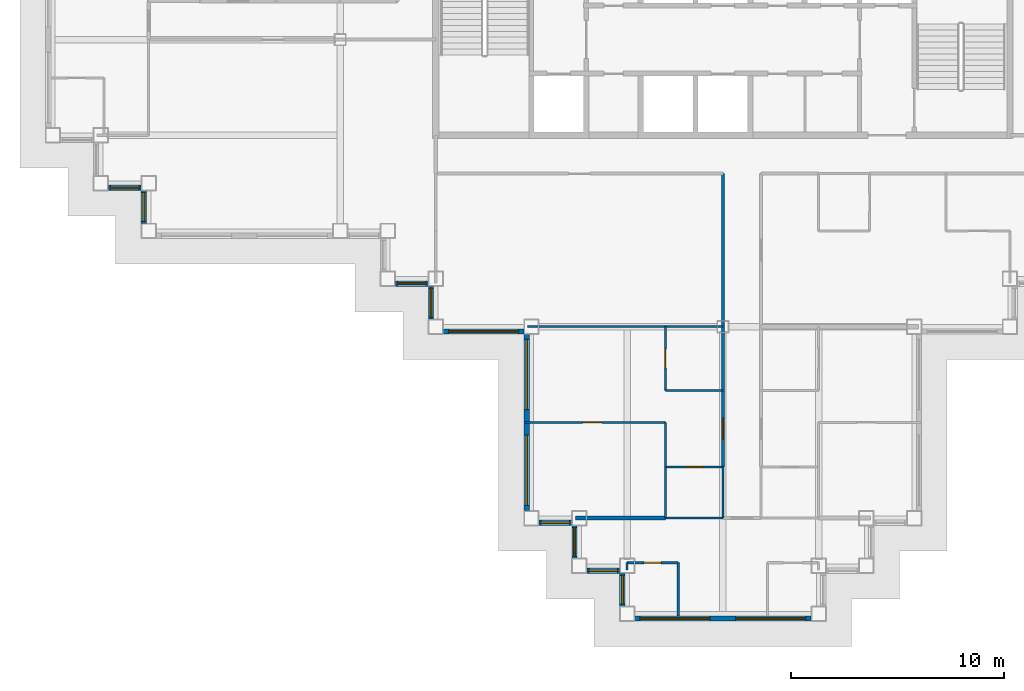
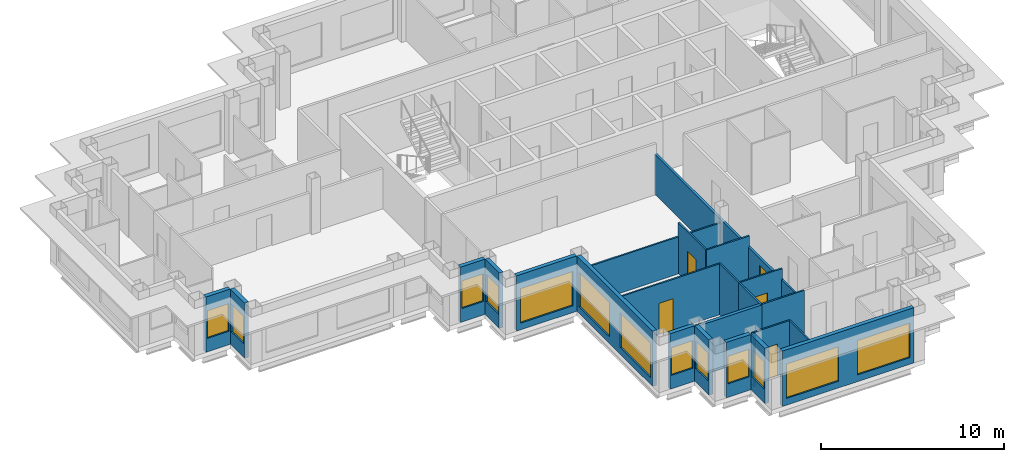
# One storey, part 2 of 12: 25 walls, 13 windows, 5 doors, 18 openings.
"""IFC4 building model written with IfcOpenShell, lengths in metres."""

import ifcopenshell
import ifcopenshell.guid

model = None  # the IFC model being written
_history = None  # IfcOwnerHistory: only IFC2X3 demands one
_inside = {}  # id of a spatial element -> (the spatial element, [elements in it])
_under = {}  # id of a project, library or spatial element -> (it, [spatial elements below it])
_declared = {}  # id of a project -> (the project, [libraries it declares])
_typed = {}  # id of a type object -> (the type object, [elements of that type])
_made_of = {}  # id of a material, layer set ... -> (it, [elements and type objects made of it])


def new_model(schema):
    """Start an empty IFC model of exactly this schema.

    Asked for "IFC4X3", IfcOpenShell would pick the latest addendum, in which some entities
    have other attributes; the version numbers below select the first issue.
    IFC2X3 requires an IfcOwnerHistory on every rooted entity: one is made here for all.
    """
    global model, _history
    if schema == "IFC4X3":
        model = ifcopenshell.file(schema_version=(4, 3, 0, 0))
    else:
        model = ifcopenshell.file(schema=schema)
    _inside.clear()
    _under.clear()
    _declared.clear()
    _typed.clear()
    _made_of.clear()
    _history = None
    if model.schema == "IFC2X3":
        org = make("IfcOrganization", Name="unknown")
        user = make(
            "IfcPersonAndOrganization",
            ThePerson=make("IfcPerson", FamilyName="unknown"),
            TheOrganization=org,
        )
        app = make(
            "IfcApplication",
            ApplicationDeveloper=org,
            Version="unknown",
            ApplicationFullName="unknown",
            ApplicationIdentifier="unknown",
        )
        _history = make(
            "IfcOwnerHistory",
            OwningUser=user,
            OwningApplication=app,
            ChangeAction="ADDED",
            CreationDate=0,
        )
    return model


def make(cls, **values):
    """One entity of the class cls with the attributes given. An attribute that is None is left unset."""
    return model.create_entity(
        cls, **{name: value for name, value in values.items() if value is not None}
    )


def rooted(cls, **values):
    """An entity with a GlobalId (a new one), such as an element, a storey or a relation."""
    return make(cls, GlobalId=ifcopenshell.guid.new(), OwnerHistory=_history, **values)


def si_unit(unit_type, name, prefix=None):
    """IfcSIUnit, for example si_unit("LENGTHUNIT", "METRE", prefix="MILLI")."""
    return make("IfcSIUnit", UnitType=unit_type, Prefix=prefix, Name=name)


def assignment(units):
    """IfcUnitAssignment: the units of a project."""
    return None if units is None else make("IfcUnitAssignment", Units=units)


def point(xyz):
    """IfcCartesianPoint."""
    return None if xyz is None else make("IfcCartesianPoint", Coordinates=xyz)


def direction(xyz):
    """IfcDirection."""
    return None if xyz is None else make("IfcDirection", DirectionRatios=xyz)


def frame(location, z_axis=None, x_axis=None):
    """IfcAxis2Placement3D, a coordinate frame: its origin and axes. An axis left out is left unset."""
    return make(
        "IfcAxis2Placement3D",
        Location=point(location),
        Axis=direction(z_axis),
        RefDirection=direction(x_axis),
    )


def frame_2d(location, x_axis=None):
    """IfcAxis2Placement2D, a coordinate frame in the plane: its origin and x axis."""
    return make(
        "IfcAxis2Placement2D", Location=point(location), RefDirection=direction(x_axis)
    )


def origin():
    """The frame at (0, 0, 0) with its axes left unset."""
    return frame((0.0, 0.0, 0.0))


def place(relative_to, where):
    """IfcLocalPlacement: puts the frame where relative to a parent placement (None: the world)."""
    return make(
        "IfcLocalPlacement", PlacementRelTo=relative_to, RelativePlacement=where
    )


def context(
    kind, dimensions, precision=None, world=None, true_north=None, identifier=None
):
    """IfcGeometricRepresentationContext, for example the 3D "Model" context."""
    return make(
        "IfcGeometricRepresentationContext",
        ContextIdentifier=identifier,
        ContextType=kind,
        CoordinateSpaceDimension=dimensions,
        Precision=precision,
        WorldCoordinateSystem=world,
        TrueNorth=true_north,
    )


def subcontext(parent, identifier, kind, view, scale=None):
    """IfcGeometricRepresentationSubContext, for example "Body" below "Model"."""
    return make(
        "IfcGeometricRepresentationSubContext",
        ContextIdentifier=identifier,
        ContextType=kind,
        ParentContext=parent,
        TargetScale=scale,
        TargetView=view,
    )


def project(units=None, contexts=None):
    """IfcProject with its units and contexts."""
    return rooted(
        "IfcProject",
        Name="project",
        RepresentationContexts=contexts,
        UnitsInContext=assignment(units),
    )


def spatial(cls, under=None, at=None, **own):
    """A site, building, storey or space (cls), placed at a placement, below another one or the project."""
    s = rooted(cls, ObjectPlacement=at, **own)
    if under is not None:
        _under.setdefault(under.id(), (under, []))[1].append(s)
    return s


def profile(cls, at=None, kind="AREA", **sizes):
    """A parametric profile (cls). Its sizes go by their IFC names, for example OverallWidth=200.0."""
    return make(cls, ProfileType=kind, Position=at, **sizes)


def rectangle(**sizes):
    """IfcRectangleProfileDef."""
    return profile("IfcRectangleProfileDef", **sizes)


def extrude(swept, where, along, depth):
    """IfcExtrudedAreaSolid: the profile swept, set in the frame where, extruded along a direction by depth."""
    return make(
        "IfcExtrudedAreaSolid",
        SweptArea=swept,
        Position=where,
        ExtrudedDirection=direction(along),
        Depth=depth,
    )


def shape(context_of_items, identifier, shape_type, items):
    """IfcShapeRepresentation: the items that make up one representation, for example the "Body"."""
    return make(
        "IfcShapeRepresentation",
        ContextOfItems=context_of_items,
        RepresentationIdentifier=identifier,
        RepresentationType=shape_type,
        Items=items,
    )


def material(Name=None, Category=None):
    """IfcMaterial."""
    return make("IfcMaterial", Name=Name, Category=Category)


def layer(
    of_material, thickness, ventilated=None, Name=None, Category=None, Priority=None
):
    """IfcMaterialLayer: one layer of a wall or slab, of a material (None: an air gap)."""
    return make(
        "IfcMaterialLayer",
        Material=of_material,
        LayerThickness=thickness,
        IsVentilated=ventilated,
        Name=Name,
        Category=Category,
        Priority=Priority,
    )


def layer_set(layers, Name=None):
    """IfcMaterialLayerSet."""
    return make("IfcMaterialLayerSet", MaterialLayers=layers, LayerSetName=Name)


def made_of(thing, what):
    """Note that an element or type object is made of a material, layer set ...; save() writes the relation."""
    if what is not None:
        _made_of.setdefault(what.id(), (what, []))[1].append(thing)
    return thing


def type_object(cls, material=None, **own):
    """A type object (cls), such as IfcWallType, which elements share."""
    return made_of(rooted(cls, **own), material)


def element(
    cls,
    number,
    at=None,
    inside=None,
    cuts=None,
    type_object=None,
    material=None,
    context=None,
    identifier="Body",
    shape_type=None,
    held_by="IfcProductDefinitionShape",
    body=None,
    shapes=None,
    **own,
):
    """One element of the class cls, such as IfcWall. Its Tag is "e" and its number.

    at: its placement. inside: the storey or other place that contains it. cuts: it is an
    opening in that element (IfcRelVoidsElement). A single representation is given by context,
    identifier, shape_type and body (its items); several are given by shapes. held_by: the class
    of the entity that holds the representations. save() writes the other relations.
    """
    e = rooted(cls, Tag="e%d" % number, ObjectPlacement=at, **own)
    if body is not None:
        shapes = [shape(context, identifier, shape_type, body)]
    if shapes is not None:
        e.Representation = make(held_by, Representations=shapes)
    if inside is not None:
        _inside.setdefault(inside.id(), (inside, []))[1].append(e)
    if cuts is not None:
        rooted(
            "IfcRelVoidsElement", RelatingBuildingElement=cuts, RelatedOpeningElement=e
        )
    if type_object is not None:
        _typed.setdefault(type_object.id(), (type_object, []))[1].append(e)
    return made_of(e, material)


def fill(opening, filler):
    """IfcRelFillsElement: the door or window that sits in an opening."""
    return rooted(
        "IfcRelFillsElement",
        RelatingOpeningElement=opening,
        RelatedBuildingElement=filler,
    )


def aggregate(whole, parts):
    """IfcRelAggregates: a whole, such as a stair, and the parts it consists of."""
    return rooted("IfcRelAggregates", RelatingObject=whole, RelatedObjects=parts)


def save(model, path):
    """Write the relations noted so far, then the file.

    IfcRelAggregates (storeys below a building ...), IfcRelContainedInSpatialStructure (elements
    in a storey), IfcRelDefinesByType, IfcRelAssociatesMaterial and IfcRelDeclares: one each for
    every whole, place, type object, material and project.
    """
    for whole, parts in _under.values():
        aggregate(whole, parts)
    for where, things in _inside.values():
        rooted(
            "IfcRelContainedInSpatialStructure",
            RelatedElements=things,
            RelatingStructure=where,
        )
    for kind, things in _typed.values():
        rooted("IfcRelDefinesByType", RelatedObjects=things, RelatingType=kind)
    for what, things in _made_of.values():
        rooted("IfcRelAssociatesMaterial", RelatedObjects=things, RelatingMaterial=what)
    for by, libraries in _declared.values():
        rooted("IfcRelDeclares", RelatingContext=by, RelatedDefinitions=libraries)
    model.write(path)


model = new_model("IFC4")

# Units and contexts
model_context = context("Model", 3, precision=1e-05, world=origin(), true_north=direction((0.0, 1.0)))
body_context = subcontext(model_context, "Body", "Model", "MODEL_VIEW")
ifc_project = project(units=[si_unit("LENGTHUNIT", "METRE"), si_unit("AREAUNIT", "SQUARE_METRE"), si_unit("VOLUMEUNIT", "CUBIC_METRE"), si_unit("PLANEANGLEUNIT", "RADIAN"), si_unit("MASSUNIT", "GRAM", prefix="KILO")], contexts=[model_context])

# Site, building, storey
site_placement = place(None, origin())
site = spatial("IfcSite", under=ifc_project, at=site_placement, CompositionType="ELEMENT")
building_placement = place(site_placement, origin())
building = spatial("IfcBuilding", under=site, at=building_placement, Name="Caravel Reach Hotel and Residences", CompositionType="ELEMENT")
storey_placement = place(building_placement, frame((0.0, 0.0, 199.800048828125)))
storey = spatial("IfcBuildingStorey", under=building, at=storey_placement, Name="L50", CompositionType="ELEMENT", Elevation=199.800048828125)

# Wall, opening, door
ifc_material_1 = material(Name="Gypsum board on steel stud", Category="steel")
ifc_layer_1 = layer(ifc_material_1, 0.10009765625)
ifc_layer_set_1 = layer_set([ifc_layer_1], Name="Bathroom pod wall 100 mm")
wall_type_1 = type_object("IfcWallType", Name="Bathroom pod wall 100 mm", PredefinedType="PARTITIONING", material=ifc_layer_set_1)
wall_1_placement = place(storey_placement, frame((27.0, 2.39990234375, 0.0), z_axis=(0.0, 0.0, 1.0), x_axis=(1.0, 0.0, 0.0)))
wall_1 = element("IfcWall", 1, at=wall_1_placement, inside=storey, type_object=wall_type_1, Name="L50 wall w078", PredefinedType="PARTITIONING", context=body_context, shape_type="SweptSolid", body=[
    extrude(rectangle(XDim=2.39990234375, YDim=0.10009765625, at=frame_2d((1.199951171875, 0.0))), origin(), (0.0, 0.0, 1.0), 3.39990234375),
])
opening_1_placement = place(wall_1_placement, frame((0.800048828125, 0.0, 0.0)))
opening_1 = element("IfcOpeningElement", 2, at=opening_1_placement, cuts=wall_1, Name="Opening D50-050", PredefinedType="OPENING", context=body_context, shape_type="SweptSolid", body=[
    extrude(rectangle(XDim=0.800048828125, YDim=2.10009765625, at=frame_2d((0.39990234375, 1.050048828125))), frame((0.0, 0.06005859375, 0.0), z_axis=(0.0, -1.0, 0.0), x_axis=(1.0, 0.0, 0.0)), (0.0, 0.0, 1.0), 0.1201171875),
])
ifc_material_2 = material(Name="Timber and steel door leaf", Category="steel")
door_type_1 = type_object("IfcDoorType", Name="Bathroom door 800 x 2100", OperationType="SINGLE_SWING_LEFT", PredefinedType="DOOR", material=ifc_material_2)
door_1_placement = place(opening_1_placement, origin())
door_1 = element("IfcDoor", 3, at=door_1_placement, inside=storey, type_object=door_type_1, Name="door D50-050", OperationType="SINGLE_SWING_RIGHT", OverallHeight=2.10009765625, OverallWidth=0.800048828125, PredefinedType="DOOR", context=body_context, shape_type="SweptSolid", body=[
    extrude(rectangle(XDim=0.800048828125, YDim=2.10009765625, at=frame_2d((0.39990234375, 1.050048828125))), frame((0.0, 0.02490234375, 0.0), z_axis=(0.0, -1.0, 0.0), x_axis=(1.0, 0.0, 0.0)), (0.0, 0.0, 1.0), 0.050048828125),
])
fill(opening_1, door_1)

# Wall
wall_2_placement = place(storey_placement, frame((28.800048828125, 4.5, 0.0), z_axis=(0.0, 0.0, 1.0), x_axis=(1.0, 0.0, 0.0)))
element("IfcWall", 4, at=wall_2_placement, inside=storey, type_object=wall_type_1, Name="L50 wall w089", PredefinedType="PARTITIONING", context=body_context, shape_type="SweptSolid", body=[
    extrude(rectangle(XDim=2.699951171875, YDim=0.10009765625, at=frame_2d((1.35009765625, 0.0))), origin(), (0.0, 0.0, 1.0), 3.39990234375),
])

# Wall, opening, door
wall_3_placement = place(storey_placement, frame((28.800048828125, 6.89990234375, 0.0), z_axis=(0.0, 0.0, 1.0), x_axis=(1.0, 0.0, 0.0)))
wall_3 = element("IfcWall", 5, at=wall_3_placement, inside=storey, type_object=wall_type_1, Name="L50 wall w091", PredefinedType="PARTITIONING", context=body_context, shape_type="SweptSolid", body=[
    extrude(rectangle(XDim=2.699951171875, YDim=0.10009765625, at=frame_2d((1.35009765625, 0.0))), origin(), (0.0, 0.0, 1.0), 3.39990234375),
])
opening_2_placement = place(wall_3_placement, frame((0.949951171875, 0.0, 0.0)))
opening_2 = element("IfcOpeningElement", 6, at=opening_2_placement, cuts=wall_3, Name="Opening D50-036", PredefinedType="OPENING", context=body_context, shape_type="SweptSolid", body=[
    extrude(rectangle(XDim=0.800048828125, YDim=2.10009765625, at=frame_2d((0.39990234375, 1.050048828125))), frame((0.0, 0.06005859375, 0.0), z_axis=(0.0, -1.0, 0.0), x_axis=(1.0, 0.0, 0.0)), (0.0, 0.0, 1.0), 0.1201171875),
])
door_2_placement = place(opening_2_placement, origin())
door_2 = element("IfcDoor", 7, at=door_2_placement, inside=storey, type_object=door_type_1, Name="door D50-036", OperationType="SINGLE_SWING_LEFT", OverallHeight=2.10009765625, OverallWidth=0.800048828125, PredefinedType="DOOR", context=body_context, shape_type="SweptSolid", body=[
    extrude(rectangle(XDim=0.800048828125, YDim=2.10009765625, at=frame_2d((0.39990234375, 1.050048828125))), frame((0.0, 0.02490234375, 0.0), z_axis=(0.0, -1.0, 0.0), x_axis=(1.0, 0.0, 0.0)), (0.0, 0.0, 1.0), 0.050048828125),
])
fill(opening_2, door_2)

# Walls
wall_4_placement = place(storey_placement, frame((27.0, 2.06005859375, 0.0), z_axis=(0.0, 0.0, 1.0), x_axis=(0.0, 1.0, 0.0)))
element("IfcWall", 8, at=wall_4_placement, inside=storey, type_object=wall_type_1, Name="L50 wall w093", PredefinedType="PARTITIONING", context=body_context, shape_type="SweptSolid", body=[
    extrude(rectangle(XDim=0.33984375, YDim=0.10009765625, at=frame_2d((0.169921875, 0.0))), origin(), (0.0, 0.0, 1.0), 3.39990234375),
])
wall_5_placement = place(storey_placement, frame((28.800048828125, 4.5, 0.0), z_axis=(0.0, 0.0, 1.0), x_axis=(0.0, 1.0, 0.0)))
element("IfcWall", 9, at=wall_5_placement, inside=storey, type_object=wall_type_1, Name="L50 wall w094", PredefinedType="PARTITIONING", context=body_context, shape_type="SweptSolid", body=[
    extrude(rectangle(XDim=2.39990234375, YDim=0.10009765625, at=frame_2d((1.199951171875, 0.0))), origin(), (0.0, 0.0, 1.0), 3.39990234375),
])
wall_6_placement = place(storey_placement, frame((29.39990234375, -0.10009765625, 0.0), z_axis=(0.0, 0.0, 1.0), x_axis=(0.0, 1.0, 0.0)))
element("IfcWall", 10, at=wall_6_placement, inside=storey, type_object=wall_type_1, Name="L50 wall w095", PredefinedType="PARTITIONING", context=body_context, shape_type="SweptSolid", body=[
    extrude(rectangle(XDim=2.5, YDim=0.10009765625, at=frame_2d((1.25, 0.0))), origin(), (0.0, 0.0, 1.0), 3.39990234375),
])
wall_7_placement = place(storey_placement, frame((31.5, 4.5, 0.0), z_axis=(0.0, 0.0, 1.0), x_axis=(0.0, 1.0, 0.0)))
element("IfcWall", 11, at=wall_7_placement, inside=storey, type_object=wall_type_1, Name="L50 wall w096", PredefinedType="PARTITIONING", context=body_context, shape_type="SweptSolid", body=[
    extrude(rectangle(XDim=2.39990234375, YDim=0.10009765625, at=frame_2d((1.199951171875, 0.0))), origin(), (0.0, 0.0, 1.0), 2.679931640625),
])

# Wall, opening, door
ifc_material_3 = material(Name="Gypsum board on steel stud, fire-rated", Category="steel")
ifc_layer_2 = layer(ifc_material_3, 0.14990234375)
ifc_layer_set_2 = layer_set([ifc_layer_2], Name="Corridor wall 150 mm EI 60")
wall_type_2 = type_object("IfcWallType", Name="Corridor wall 150 mm EI 60", PredefinedType="PARTITIONING", material=ifc_layer_set_2)
wall_8_placement = place(storey_placement, frame((31.5, 6.89990234375, 0.0), z_axis=(0.0, 0.0, 1.0), x_axis=(0.0, 1.0, 0.0)))
wall_8 = element("IfcWall", 12, at=wall_8_placement, inside=storey, type_object=wall_type_2, Name="L50 wall w020", PredefinedType="PARTITIONING", context=body_context, shape_type="SweptSolid", body=[
    extrude(rectangle(XDim=13.800048828125, YDim=0.14990234375, at=frame_2d((6.89990234375, 0.0))), origin(), (0.0, 0.0, 1.0), 2.679931640625),
])
opening_3_placement = place(wall_8_placement, frame((1.300048828125, 0.0, 0.0)))
opening_3 = element("IfcOpeningElement", 13, at=opening_3_placement, cuts=wall_8, Name="Opening D50-035", PredefinedType="OPENING", context=body_context, shape_type="SweptSolid", body=[
    extrude(rectangle(XDim=1.0, YDim=2.199951171875, at=frame_2d((0.5, 1.10009765625))), frame((0.0, 0.0849609375, 0.0), z_axis=(0.0, -1.0, 0.0), x_axis=(1.0, 0.0, 0.0)), (0.0, 0.0, 1.0), 0.169921875),
])
ifc_material_4 = material(Name="Steel fire door leaf", Category="steel")
door_type_2 = type_object("IfcDoorType", Name="Flat entrance door 1000 x 2200 EI 60", OperationType="SINGLE_SWING_LEFT", PredefinedType="DOOR", material=ifc_material_4)
door_3_placement = place(opening_3_placement, origin())
door_3 = element("IfcDoor", 14, at=door_3_placement, inside=storey, type_object=door_type_2, Name="door D50-035", OperationType="SINGLE_SWING_LEFT", OverallHeight=2.199951171875, OverallWidth=1.0, PredefinedType="DOOR", context=body_context, shape_type="SweptSolid", body=[
    extrude(rectangle(XDim=1.0, YDim=2.199951171875, at=frame_2d((0.5, 1.10009765625))), frame((0.0, 0.02490234375, 0.0), z_axis=(0.0, -1.0, 0.0), x_axis=(1.0, 0.0, 0.0)), (0.0, 0.0, 1.0), 0.050048828125),
])
fill(opening_3, door_3)

# Wall, opening, window
ifc_material_5 = material(Name="Insulated rainscreen wall, aluminium cladding", Category="aluminium")
ifc_layer_3 = layer(ifc_material_5, 0.25)
ifc_layer_set_3 = layer_set([ifc_layer_3], Name="EW1 Tower rainscreen wall")
wall_type_3 = type_object("IfcWallType", Name="EW1 Tower rainscreen wall", PredefinedType="SOLIDWALL", material=ifc_layer_set_3)
wall_9_placement = place(storey_placement, frame((2.60009765625, 20.02490234375, 0.0), z_axis=(0.0, 0.0, 1.0), x_axis=(1.0, 0.0, 0.0)))
wall_9 = element("IfcWall", 15, at=wall_9_placement, inside=storey, type_object=wall_type_3, Name="External wall L50 S23.1", PredefinedType="SOLIDWALL", context=body_context, shape_type="SweptSolid", body=[
    extrude(rectangle(XDim=1.5498046875, YDim=0.25, at=frame_2d((0.77490234375, 0.0))), origin(), (0.0, 0.0, 1.0), 3.699951171875),
])
opening_4_placement = place(wall_9_placement, frame((0.10009765625, 0.0, 0.89990234375)))
opening_4 = element("IfcOpeningElement", 16, at=opening_4_placement, cuts=wall_9, Name="Opening WN21", PredefinedType="OPENING", context=body_context, shape_type="SweptSolid", body=[
    extrude(rectangle(XDim=1.35009765625, YDim=1.85009765625, at=frame_2d((0.675048828125, 0.925048828125))), frame((0.0, 0.135009765625, 0.0), z_axis=(0.0, -1.0, 0.0), x_axis=(1.0, 0.0, 0.0)), (0.0, 0.0, 1.0), 0.27001953125),
])
ifc_material_6 = material(Name="Dark low-e glazing in black aluminium frame", Category="aluminium")
window_type_1 = type_object("IfcWindowType", Name="Residence bedroom window 1350 x 1850", PartitioningType="SINGLE_PANEL", PredefinedType="WINDOW", material=ifc_material_6)
window_1_placement = place(opening_4_placement, origin())
window_1 = element("IfcWindow", 17, at=window_1_placement, inside=storey, type_object=window_type_1, Name="Window L50 S23.1.1", OverallHeight=1.85009765625, OverallWidth=1.35009765625, PartitioningType="SINGLE_PANEL", PredefinedType="WINDOW", context=body_context, shape_type="SweptSolid", body=[
    extrude(rectangle(XDim=1.35009765625, YDim=1.85009765625, at=frame_2d((0.675048828125, 0.925048828125))), frame((0.0, 0.030029296875, 0.0), z_axis=(0.0, -1.0, 0.0), x_axis=(1.0, 0.0, 0.0)), (0.0, 0.0, 1.0), 0.06005859375),
])
fill(opening_4, window_1)

wall_10_placement = place(storey_placement, frame((4.27490234375, 19.89990234375, 0.0), z_axis=(0.0, 0.0, 1.0), x_axis=(0.0, -1.0, 0.0)))
wall_10 = element("IfcWall", 18, at=wall_10_placement, inside=storey, type_object=wall_type_3, Name="External wall L50 W24.1", PredefinedType="SOLIDWALL", context=body_context, shape_type="SweptSolid", body=[
    extrude(rectangle(XDim=1.5498046875, YDim=0.25, at=frame_2d((0.77490234375, 0.0))), origin(), (0.0, 0.0, 1.0), 3.699951171875),
])
opening_5_placement = place(wall_10_placement, frame((0.10009765625, 0.0, 0.89990234375)))
opening_5 = element("IfcOpeningElement", 19, at=opening_5_placement, cuts=wall_10, Name="Opening WN21", PredefinedType="OPENING", context=body_context, shape_type="SweptSolid", body=[
    extrude(rectangle(XDim=1.35009765625, YDim=1.85009765625, at=frame_2d((0.675048828125, 0.925048828125))), frame((0.0, 0.135009765625, 0.0), z_axis=(0.0, -1.0, 0.0), x_axis=(1.0, 0.0, 0.0)), (0.0, 0.0, 1.0), 0.27001953125),
])
window_2_placement = place(opening_5_placement, origin())
window_2 = element("IfcWindow", 20, at=window_2_placement, inside=storey, type_object=window_type_1, Name="Window L50 W24.1.1", OverallHeight=1.85009765625, OverallWidth=1.35009765625, PartitioningType="SINGLE_PANEL", PredefinedType="WINDOW", context=body_context, shape_type="SweptSolid", body=[
    extrude(rectangle(XDim=1.35009765625, YDim=1.85009765625, at=frame_2d((0.675048828125, 0.925048828125))), frame((0.0, 0.030029296875, 0.0), z_axis=(0.0, -1.0, 0.0), x_axis=(1.0, 0.0, 0.0)), (0.0, 0.0, 1.0), 0.06005859375),
])
fill(opening_5, window_2)

wall_11_placement = place(storey_placement, frame((16.10009765625, 15.52490234375, 0.0), z_axis=(0.0, 0.0, 1.0), x_axis=(1.0, 0.0, 0.0)))
wall_11 = element("IfcWall", 21, at=wall_11_placement, inside=storey, type_object=wall_type_3, Name="External wall L50 S27.1", PredefinedType="SOLIDWALL", context=body_context, shape_type="SweptSolid", body=[
    extrude(rectangle(XDim=1.5498046875, YDim=0.25, at=frame_2d((0.77490234375, 0.0))), origin(), (0.0, 0.0, 1.0), 3.699951171875),
])
opening_6_placement = place(wall_11_placement, frame((0.10009765625, 0.0, 0.89990234375)))
opening_6 = element("IfcOpeningElement", 22, at=opening_6_placement, cuts=wall_11, Name="Opening WN21", PredefinedType="OPENING", context=body_context, shape_type="SweptSolid", body=[
    extrude(rectangle(XDim=1.35009765625, YDim=1.85009765625, at=frame_2d((0.675048828125, 0.925048828125))), frame((0.0, 0.135009765625, 0.0), z_axis=(0.0, -1.0, 0.0), x_axis=(1.0, 0.0, 0.0)), (0.0, 0.0, 1.0), 0.27001953125),
])
window_3_placement = place(opening_6_placement, origin())
window_3 = element("IfcWindow", 23, at=window_3_placement, inside=storey, type_object=window_type_1, Name="Window L50 S27.1.1", OverallHeight=1.85009765625, OverallWidth=1.35009765625, PartitioningType="SINGLE_PANEL", PredefinedType="WINDOW", context=body_context, shape_type="SweptSolid", body=[
    extrude(rectangle(XDim=1.35009765625, YDim=1.85009765625, at=frame_2d((0.675048828125, 0.925048828125))), frame((0.0, 0.030029296875, 0.0), z_axis=(0.0, -1.0, 0.0), x_axis=(1.0, 0.0, 0.0)), (0.0, 0.0, 1.0), 0.06005859375),
])
fill(opening_6, window_3)

wall_12_placement = place(storey_placement, frame((17.77490234375, 15.39990234375, 0.0), z_axis=(0.0, 0.0, 1.0), x_axis=(0.0, -1.0, 0.0)))
wall_12 = element("IfcWall", 24, at=wall_12_placement, inside=storey, type_object=wall_type_3, Name="External wall L50 W28.1", PredefinedType="SOLIDWALL", context=body_context, shape_type="SweptSolid", body=[
    extrude(rectangle(XDim=1.5498046875, YDim=0.25, at=frame_2d((0.77490234375, 0.0))), origin(), (0.0, 0.0, 1.0), 3.699951171875),
])
opening_7_placement = place(wall_12_placement, frame((0.10009765625, 0.0, 0.89990234375)))
opening_7 = element("IfcOpeningElement", 25, at=opening_7_placement, cuts=wall_12, Name="Opening WN21", PredefinedType="OPENING", context=body_context, shape_type="SweptSolid", body=[
    extrude(rectangle(XDim=1.35009765625, YDim=1.85009765625, at=frame_2d((0.675048828125, 0.925048828125))), frame((0.0, 0.135009765625, 0.0), z_axis=(0.0, -1.0, 0.0), x_axis=(1.0, 0.0, 0.0)), (0.0, 0.0, 1.0), 0.27001953125),
])
window_4_placement = place(opening_7_placement, origin())
window_4 = element("IfcWindow", 26, at=window_4_placement, inside=storey, type_object=window_type_1, Name="Window L50 W28.1.1", OverallHeight=1.85009765625, OverallWidth=1.35009765625, PartitioningType="SINGLE_PANEL", PredefinedType="WINDOW", context=body_context, shape_type="SweptSolid", body=[
    extrude(rectangle(XDim=1.35009765625, YDim=1.85009765625, at=frame_2d((0.675048828125, 0.925048828125))), frame((0.0, 0.030029296875, 0.0), z_axis=(0.0, -1.0, 0.0), x_axis=(1.0, 0.0, 0.0)), (0.0, 0.0, 1.0), 0.06005859375),
])
fill(opening_7, window_4)

wall_13_placement = place(storey_placement, frame((18.35009765625, 13.27490234375, 0.0), z_axis=(0.0, 0.0, 1.0), x_axis=(1.0, 0.0, 0.0)))
wall_13 = element("IfcWall", 27, at=wall_13_placement, inside=storey, type_object=wall_type_3, Name="External wall L50 S29.1", PredefinedType="SOLIDWALL", context=body_context, shape_type="SweptSolid", body=[
    extrude(rectangle(XDim=3.7998046875, YDim=0.25, at=frame_2d((1.89990234375, 0.0))), origin(), (0.0, 0.0, 1.0), 3.699951171875),
])
opening_8_placement = place(wall_13_placement, frame((0.25, 0.0, 0.449951171875)))
opening_8 = element("IfcOpeningElement", 28, at=opening_8_placement, cuts=wall_13, Name="Opening WN15", PredefinedType="OPENING", context=body_context, shape_type="SweptSolid", body=[
    extrude(rectangle(XDim=3.300048828125, YDim=2.300048828125, at=frame_2d((1.64990234375, 1.14990234375))), frame((0.0, 0.135009765625, 0.0), z_axis=(0.0, -1.0, 0.0), x_axis=(1.0, 0.0, 0.0)), (0.0, 0.0, 1.0), 0.27001953125),
])
ifc_material_7 = material(Name="Dark low-e glazing in black aluminium frame", Category="aluminium")
window_type_2 = type_object("IfcWindowType", Name="Residence living window 3300 x 2300", PartitioningType="SINGLE_PANEL", PredefinedType="WINDOW", material=ifc_material_7)
window_5_placement = place(opening_8_placement, origin())
window_5 = element("IfcWindow", 29, at=window_5_placement, inside=storey, type_object=window_type_2, Name="Window L50 S29.1.1", OverallHeight=2.300048828125, OverallWidth=3.300048828125, PartitioningType="SINGLE_PANEL", PredefinedType="WINDOW", context=body_context, shape_type="SweptSolid", body=[
    extrude(rectangle(XDim=3.300048828125, YDim=2.300048828125, at=frame_2d((1.64990234375, 1.14990234375))), frame((0.0, 0.030029296875, 0.0), z_axis=(0.0, -1.0, 0.0), x_axis=(1.0, 0.0, 0.0)), (0.0, 0.0, 1.0), 0.06005859375),
])
fill(opening_8, window_5)

# Wall, openings, windows
wall_14_placement = place(storey_placement, frame((22.27490234375, 13.14990234375, 0.0), z_axis=(0.0, 0.0, 1.0), x_axis=(0.0, -1.0, 0.0)))
wall_14 = element("IfcWall", 30, at=wall_14_placement, inside=storey, type_object=wall_type_3, Name="External wall L50 W30.1", PredefinedType="SOLIDWALL", context=body_context, shape_type="SweptSolid", body=[
    extrude(rectangle(XDim=8.2998046875, YDim=0.25, at=frame_2d((4.14990234375, 0.0))), origin(), (0.0, 0.0, 1.0), 3.699951171875),
])
opening_9_placement = place(wall_14_placement, frame((0.25, 0.0, 0.449951171875)))
opening_9 = element("IfcOpeningElement", 31, at=opening_9_placement, cuts=wall_14, Name="Opening WN15", PredefinedType="OPENING", context=body_context, shape_type="SweptSolid", body=[
    extrude(rectangle(XDim=3.300048828125, YDim=2.300048828125, at=frame_2d((1.64990234375, 1.14990234375))), frame((0.0, 0.135009765625, 0.0), z_axis=(0.0, -1.0, 0.0), x_axis=(1.0, 0.0, 0.0)), (0.0, 0.0, 1.0), 0.27001953125),
])
opening_10_placement = place(wall_14_placement, frame((4.75, 0.0, 0.449951171875)))
opening_10 = element("IfcOpeningElement", 32, at=opening_10_placement, cuts=wall_14, Name="Opening WN15", PredefinedType="OPENING", context=body_context, shape_type="SweptSolid", body=[
    extrude(rectangle(XDim=3.300048828125, YDim=2.300048828125, at=frame_2d((1.64990234375, 1.14990234375))), frame((0.0, 0.135009765625, 0.0), z_axis=(0.0, -1.0, 0.0), x_axis=(1.0, 0.0, 0.0)), (0.0, 0.0, 1.0), 0.27001953125),
])
window_6_placement = place(opening_9_placement, origin())
window_6 = element("IfcWindow", 33, at=window_6_placement, inside=storey, type_object=window_type_2, Name="Window L50 W30.1.1", OverallHeight=2.300048828125, OverallWidth=3.300048828125, PartitioningType="SINGLE_PANEL", PredefinedType="WINDOW", context=body_context, shape_type="SweptSolid", body=[
    extrude(rectangle(XDim=3.300048828125, YDim=2.300048828125, at=frame_2d((1.64990234375, 1.14990234375))), frame((0.0, 0.030029296875, 0.0), z_axis=(0.0, -1.0, 0.0), x_axis=(1.0, 0.0, 0.0)), (0.0, 0.0, 1.0), 0.06005859375),
])
fill(opening_9, window_6)
window_7_placement = place(opening_10_placement, origin())
window_7 = element("IfcWindow", 34, at=window_7_placement, inside=storey, type_object=window_type_2, Name="Window L50 W30.1.2", OverallHeight=2.300048828125, OverallWidth=3.300048828125, PartitioningType="SINGLE_PANEL", PredefinedType="WINDOW", context=body_context, shape_type="SweptSolid", body=[
    extrude(rectangle(XDim=3.300048828125, YDim=2.300048828125, at=frame_2d((1.64990234375, 1.14990234375))), frame((0.0, 0.030029296875, 0.0), z_axis=(0.0, -1.0, 0.0), x_axis=(1.0, 0.0, 0.0)), (0.0, 0.0, 1.0), 0.06005859375),
])
fill(opening_10, window_7)

# Wall, opening, window
wall_15_placement = place(storey_placement, frame((22.85009765625, 4.27490234375, 0.0), z_axis=(0.0, 0.0, 1.0), x_axis=(1.0, 0.0, 0.0)))
wall_15 = element("IfcWall", 35, at=wall_15_placement, inside=storey, type_object=wall_type_3, Name="External wall L50 S31.1", PredefinedType="SOLIDWALL", context=body_context, shape_type="SweptSolid", body=[
    extrude(rectangle(XDim=1.5498046875, YDim=0.25, at=frame_2d((0.77490234375, 0.0))), origin(), (0.0, 0.0, 1.0), 3.699951171875),
])
opening_11_placement = place(wall_15_placement, frame((0.10009765625, 0.0, 0.89990234375)))
opening_11 = element("IfcOpeningElement", 36, at=opening_11_placement, cuts=wall_15, Name="Opening WN21", PredefinedType="OPENING", context=body_context, shape_type="SweptSolid", body=[
    extrude(rectangle(XDim=1.35009765625, YDim=1.85009765625, at=frame_2d((0.675048828125, 0.925048828125))), frame((0.0, 0.135009765625, 0.0), z_axis=(0.0, -1.0, 0.0), x_axis=(1.0, 0.0, 0.0)), (0.0, 0.0, 1.0), 0.27001953125),
])
window_8_placement = place(opening_11_placement, origin())
window_8 = element("IfcWindow", 37, at=window_8_placement, inside=storey, type_object=window_type_1, Name="Window L50 S31.1.1", OverallHeight=1.85009765625, OverallWidth=1.35009765625, PartitioningType="SINGLE_PANEL", PredefinedType="WINDOW", context=body_context, shape_type="SweptSolid", body=[
    extrude(rectangle(XDim=1.35009765625, YDim=1.85009765625, at=frame_2d((0.675048828125, 0.925048828125))), frame((0.0, 0.030029296875, 0.0), z_axis=(0.0, -1.0, 0.0), x_axis=(1.0, 0.0, 0.0)), (0.0, 0.0, 1.0), 0.06005859375),
])
fill(opening_11, window_8)

wall_16_placement = place(storey_placement, frame((24.52490234375, 4.14990234375, 0.0), z_axis=(0.0, 0.0, 1.0), x_axis=(0.0, -1.0, 0.0)))
wall_16 = element("IfcWall", 38, at=wall_16_placement, inside=storey, type_object=wall_type_3, Name="External wall L50 W32.1", PredefinedType="SOLIDWALL", context=body_context, shape_type="SweptSolid", body=[
    extrude(rectangle(XDim=1.5498046875, YDim=0.25, at=frame_2d((0.77490234375, 0.0))), origin(), (0.0, 0.0, 1.0), 3.699951171875),
])
opening_12_placement = place(wall_16_placement, frame((0.10009765625, 0.0, 0.89990234375)))
opening_12 = element("IfcOpeningElement", 39, at=opening_12_placement, cuts=wall_16, Name="Opening WN21", PredefinedType="OPENING", context=body_context, shape_type="SweptSolid", body=[
    extrude(rectangle(XDim=1.35009765625, YDim=1.85009765625, at=frame_2d((0.675048828125, 0.925048828125))), frame((0.0, 0.135009765625, 0.0), z_axis=(0.0, -1.0, 0.0), x_axis=(1.0, 0.0, 0.0)), (0.0, 0.0, 1.0), 0.27001953125),
])
window_9_placement = place(opening_12_placement, origin())
window_9 = element("IfcWindow", 40, at=window_9_placement, inside=storey, type_object=window_type_1, Name="Window L50 W32.1.1", OverallHeight=1.85009765625, OverallWidth=1.35009765625, PartitioningType="SINGLE_PANEL", PredefinedType="WINDOW", context=body_context, shape_type="SweptSolid", body=[
    extrude(rectangle(XDim=1.35009765625, YDim=1.85009765625, at=frame_2d((0.675048828125, 0.925048828125))), frame((0.0, 0.030029296875, 0.0), z_axis=(0.0, -1.0, 0.0), x_axis=(1.0, 0.0, 0.0)), (0.0, 0.0, 1.0), 0.06005859375),
])
fill(opening_12, window_9)

wall_17_placement = place(storey_placement, frame((25.10009765625, 2.02490234375, 0.0), z_axis=(0.0, 0.0, 1.0), x_axis=(1.0, 0.0, 0.0)))
wall_17 = element("IfcWall", 41, at=wall_17_placement, inside=storey, type_object=wall_type_3, Name="External wall L50 S33.1", PredefinedType="SOLIDWALL", context=body_context, shape_type="SweptSolid", body=[
    extrude(rectangle(XDim=1.5498046875, YDim=0.25, at=frame_2d((0.77490234375, 0.0))), origin(), (0.0, 0.0, 1.0), 3.699951171875),
])
opening_13_placement = place(wall_17_placement, frame((0.10009765625, 0.0, 0.89990234375)))
opening_13 = element("IfcOpeningElement", 42, at=opening_13_placement, cuts=wall_17, Name="Opening WN21", PredefinedType="OPENING", context=body_context, shape_type="SweptSolid", body=[
    extrude(rectangle(XDim=1.35009765625, YDim=1.85009765625, at=frame_2d((0.675048828125, 0.925048828125))), frame((0.0, 0.135009765625, 0.0), z_axis=(0.0, -1.0, 0.0), x_axis=(1.0, 0.0, 0.0)), (0.0, 0.0, 1.0), 0.27001953125),
])
window_10_placement = place(opening_13_placement, origin())
window_10 = element("IfcWindow", 43, at=window_10_placement, inside=storey, type_object=window_type_1, Name="Window L50 S33.1.1", OverallHeight=1.85009765625, OverallWidth=1.35009765625, PartitioningType="SINGLE_PANEL", PredefinedType="WINDOW", context=body_context, shape_type="SweptSolid", body=[
    extrude(rectangle(XDim=1.35009765625, YDim=1.85009765625, at=frame_2d((0.675048828125, 0.925048828125))), frame((0.0, 0.030029296875, 0.0), z_axis=(0.0, -1.0, 0.0), x_axis=(1.0, 0.0, 0.0)), (0.0, 0.0, 1.0), 0.06005859375),
])
fill(opening_13, window_10)

wall_18_placement = place(storey_placement, frame((26.77490234375, 1.89990234375, 0.0), z_axis=(0.0, 0.0, 1.0), x_axis=(0.0, -1.0, 0.0)))
wall_18 = element("IfcWall", 44, at=wall_18_placement, inside=storey, type_object=wall_type_3, Name="External wall L50 W34.1", PredefinedType="SOLIDWALL", context=body_context, shape_type="SweptSolid", body=[
    extrude(rectangle(XDim=1.5498046875, YDim=0.25, at=frame_2d((0.77490234375, 0.0))), origin(), (0.0, 0.0, 1.0), 3.699951171875),
])
opening_14_placement = place(wall_18_placement, frame((0.10009765625, 0.0, 0.89990234375)))
opening_14 = element("IfcOpeningElement", 45, at=opening_14_placement, cuts=wall_18, Name="Opening WN21", PredefinedType="OPENING", context=body_context, shape_type="SweptSolid", body=[
    extrude(rectangle(XDim=1.35009765625, YDim=1.85009765625, at=frame_2d((0.675048828125, 0.925048828125))), frame((0.0, 0.135009765625, 0.0), z_axis=(0.0, -1.0, 0.0), x_axis=(1.0, 0.0, 0.0)), (0.0, 0.0, 1.0), 0.27001953125),
])
window_11_placement = place(opening_14_placement, origin())
window_11 = element("IfcWindow", 46, at=window_11_placement, inside=storey, type_object=window_type_1, Name="Window L50 W34.1.1", OverallHeight=1.85009765625, OverallWidth=1.35009765625, PartitioningType="SINGLE_PANEL", PredefinedType="WINDOW", context=body_context, shape_type="SweptSolid", body=[
    extrude(rectangle(XDim=1.35009765625, YDim=1.85009765625, at=frame_2d((0.675048828125, 0.925048828125))), frame((0.0, 0.030029296875, 0.0), z_axis=(0.0, -1.0, 0.0), x_axis=(1.0, 0.0, 0.0)), (0.0, 0.0, 1.0), 0.06005859375),
])
fill(opening_14, window_11)

# Wall, openings, windows
wall_19_placement = place(storey_placement, frame((27.35009765625, -0.22509765625, 0.0), z_axis=(0.0, 0.0, 1.0), x_axis=(1.0, 0.0, 0.0)))
wall_19 = element("IfcWall", 47, at=wall_19_placement, inside=storey, type_object=wall_type_3, Name="External wall L50 S35.1", PredefinedType="SOLIDWALL", context=body_context, shape_type="SweptSolid", body=[
    extrude(rectangle(XDim=8.2998046875, YDim=0.25, at=frame_2d((4.14990234375, 0.0))), origin(), (0.0, 0.0, 1.0), 3.699951171875),
])
opening_15_placement = place(wall_19_placement, frame((0.25, 0.0, 0.449951171875)))
opening_15 = element("IfcOpeningElement", 48, at=opening_15_placement, cuts=wall_19, Name="Opening WN15", PredefinedType="OPENING", context=body_context, shape_type="SweptSolid", body=[
    extrude(rectangle(XDim=3.300048828125, YDim=2.300048828125, at=frame_2d((1.64990234375, 1.14990234375))), frame((0.0, 0.135009765625, 0.0), z_axis=(0.0, -1.0, 0.0), x_axis=(1.0, 0.0, 0.0)), (0.0, 0.0, 1.0), 0.27001953125),
])
opening_16_placement = place(wall_19_placement, frame((4.75, 0.0, 0.449951171875)))
opening_16 = element("IfcOpeningElement", 49, at=opening_16_placement, cuts=wall_19, Name="Opening WN15", PredefinedType="OPENING", context=body_context, shape_type="SweptSolid", body=[
    extrude(rectangle(XDim=3.300048828125, YDim=2.300048828125, at=frame_2d((1.64990234375, 1.14990234375))), frame((0.0, 0.135009765625, 0.0), z_axis=(0.0, -1.0, 0.0), x_axis=(1.0, 0.0, 0.0)), (0.0, 0.0, 1.0), 0.27001953125),
])
window_12_placement = place(opening_15_placement, origin())
window_12 = element("IfcWindow", 50, at=window_12_placement, inside=storey, type_object=window_type_2, Name="Window L50 S35.1.1", OverallHeight=2.300048828125, OverallWidth=3.300048828125, PartitioningType="SINGLE_PANEL", PredefinedType="WINDOW", context=body_context, shape_type="SweptSolid", body=[
    extrude(rectangle(XDim=3.300048828125, YDim=2.300048828125, at=frame_2d((1.64990234375, 1.14990234375))), frame((0.0, 0.030029296875, 0.0), z_axis=(0.0, -1.0, 0.0), x_axis=(1.0, 0.0, 0.0)), (0.0, 0.0, 1.0), 0.06005859375),
])
fill(opening_15, window_12)
window_13_placement = place(opening_16_placement, origin())
window_13 = element("IfcWindow", 51, at=window_13_placement, inside=storey, type_object=window_type_2, Name="Window L50 S35.1.2", OverallHeight=2.300048828125, OverallWidth=3.300048828125, PartitioningType="SINGLE_PANEL", PredefinedType="WINDOW", context=body_context, shape_type="SweptSolid", body=[
    extrude(rectangle(XDim=3.300048828125, YDim=2.300048828125, at=frame_2d((1.64990234375, 1.14990234375))), frame((0.0, 0.030029296875, 0.0), z_axis=(0.0, -1.0, 0.0), x_axis=(1.0, 0.0, 0.0)), (0.0, 0.0, 1.0), 0.06005859375),
])
fill(opening_16, window_13)

# Walls
ifc_material_8 = material(Name="Gypsum board on steel stud", Category="steel")
ifc_layer_4 = layer(ifc_material_8, 0.10009765625)
ifc_layer_set_4 = layer_set([ifc_layer_4], Name="Partition 100 mm")
wall_type_4 = type_object("IfcWallType", Name="Partition 100 mm", PredefinedType="PARTITIONING", material=ifc_layer_set_4)
wall_20_placement = place(storey_placement, frame((28.800048828125, 10.5, 0.0), z_axis=(0.0, 0.0, 1.0), x_axis=(1.0, 0.0, 0.0)))
element("IfcWall", 52, at=wall_20_placement, inside=storey, type_object=wall_type_4, Name="L50 wall w029", PredefinedType="PARTITIONING", context=body_context, shape_type="SweptSolid", body=[
    extrude(rectangle(XDim=2.699951171875, YDim=0.10009765625, at=frame_2d((1.35009765625, 0.0))), origin(), (0.0, 0.0, 1.0), 3.39990234375),
])
wall_21_placement = place(storey_placement, frame((22.31005859375, 13.5, 0.0), z_axis=(0.0, 0.0, 1.0), x_axis=(1.0, 0.0, 0.0)))
element("IfcWall", 53, at=wall_21_placement, inside=storey, type_object=wall_type_4, Name="L50 wall w030", PredefinedType="PARTITIONING", context=body_context, shape_type="SweptSolid", body=[
    extrude(rectangle(XDim=9.18994140625, YDim=0.10009765625, at=frame_2d((4.594970703125, 0.0))), origin(), (0.0, 0.0, 1.0), 2.47998046875),
])

# Wall, opening, door
wall_22_placement = place(storey_placement, frame((22.2099609375, 9.0, 0.0), z_axis=(0.0, 0.0, 1.0), x_axis=(1.0, 0.0, 0.0)))
wall_22 = element("IfcWall", 54, at=wall_22_placement, inside=storey, type_object=wall_type_4, Name="L50 wall w046", PredefinedType="PARTITIONING", context=body_context, shape_type="SweptSolid", body=[
    extrude(rectangle(XDim=6.590087890625, YDim=0.10009765625, at=frame_2d((3.294921875, 0.0))), origin(), (0.0, 0.0, 1.0), 3.39990234375),
])
opening_17_placement = place(wall_22_placement, frame((2.699951171875, 0.0, 0.0)))
opening_17 = element("IfcOpeningElement", 55, at=opening_17_placement, cuts=wall_22, Name="Opening D50-038", PredefinedType="OPENING", context=body_context, shape_type="SweptSolid", body=[
    extrude(rectangle(XDim=0.89990234375, YDim=2.10009765625, at=frame_2d((0.449951171875, 1.050048828125))), frame((0.0, 0.06005859375, 0.0), z_axis=(0.0, -1.0, 0.0), x_axis=(1.0, 0.0, 0.0)), (0.0, 0.0, 1.0), 0.1201171875),
])
ifc_material_9 = material(Name="Timber and steel door leaf", Category="steel")
door_type_3 = type_object("IfcDoorType", Name="Door 900 x 2100 timber", OperationType="SINGLE_SWING_LEFT", PredefinedType="DOOR", material=ifc_material_9)
door_4_placement = place(opening_17_placement, origin())
door_4 = element("IfcDoor", 56, at=door_4_placement, inside=storey, type_object=door_type_3, Name="door D50-038", OperationType="SINGLE_SWING_LEFT", OverallHeight=2.10009765625, OverallWidth=0.89990234375, PredefinedType="DOOR", context=body_context, shape_type="SweptSolid", body=[
    extrude(rectangle(XDim=0.89990234375, YDim=2.10009765625, at=frame_2d((0.449951171875, 1.050048828125))), frame((0.0, 0.02490234375, 0.0), z_axis=(0.0, -1.0, 0.0), x_axis=(1.0, 0.0, 0.0)), (0.0, 0.0, 1.0), 0.050048828125),
])
fill(opening_17, door_4)

# Wall
wall_23_placement = place(storey_placement, frame((28.800048828125, 6.89990234375, 0.0), z_axis=(0.0, 0.0, 1.0), x_axis=(0.0, 1.0, 0.0)))
element("IfcWall", 57, at=wall_23_placement, inside=storey, type_object=wall_type_4, Name="L50 wall w055", PredefinedType="PARTITIONING", context=body_context, shape_type="SweptSolid", body=[
    extrude(rectangle(XDim=2.10009765625, YDim=0.10009765625, at=frame_2d((1.050048828125, 0.0))), origin(), (0.0, 0.0, 1.0), 3.39990234375),
])

# Wall, opening, door
wall_24_placement = place(storey_placement, frame((28.800048828125, 10.5, 0.0), z_axis=(0.0, 0.0, 1.0), x_axis=(0.0, 1.0, 0.0)))
wall_24 = element("IfcWall", 58, at=wall_24_placement, inside=storey, type_object=wall_type_4, Name="L50 wall w056", PredefinedType="PARTITIONING", context=body_context, shape_type="SweptSolid", body=[
    extrude(rectangle(XDim=3.0, YDim=0.10009765625, at=frame_2d((1.5, 0.0))), origin(), (0.0, 0.0, 1.0), 3.39990234375),
])
opening_18_placement = place(wall_24_placement, frame((1.050048828125, 0.0, 0.0)))
opening_18 = element("IfcOpeningElement", 59, at=opening_18_placement, cuts=wall_24, Name="Opening D50-037", PredefinedType="OPENING", context=body_context, shape_type="SweptSolid", body=[
    extrude(rectangle(XDim=0.89990234375, YDim=2.10009765625, at=frame_2d((0.449951171875, 1.050048828125))), frame((0.0, 0.06005859375, 0.0), z_axis=(0.0, -1.0, 0.0), x_axis=(1.0, 0.0, 0.0)), (0.0, 0.0, 1.0), 0.1201171875),
])
door_5_placement = place(opening_18_placement, origin())
door_5 = element("IfcDoor", 60, at=door_5_placement, inside=storey, type_object=door_type_3, Name="door D50-037", OperationType="SINGLE_SWING_LEFT", OverallHeight=2.10009765625, OverallWidth=0.89990234375, PredefinedType="DOOR", context=body_context, shape_type="SweptSolid", body=[
    extrude(rectangle(XDim=0.89990234375, YDim=2.10009765625, at=frame_2d((0.449951171875, 1.050048828125))), frame((0.0, 0.02490234375, 0.0), z_axis=(0.0, -1.0, 0.0), x_axis=(1.0, 0.0, 0.0)), (0.0, 0.0, 1.0), 0.050048828125),
])
fill(opening_18, door_5)

# Wall
ifc_material_10 = material(Name="Autoclaved aerated block wall")
ifc_layer_5 = layer(ifc_material_10, 0.199951171875)
ifc_layer_set_5 = layer_set([ifc_layer_5], Name="Party wall 200 mm EI 60")
wall_type_5 = type_object("IfcWallType", Name="Party wall 200 mm EI 60", PredefinedType="PARTITIONING", material=ifc_layer_set_5)
wall_25_placement = place(storey_placement, frame((24.56005859375, 4.5, 0.0), z_axis=(0.0, 0.0, 1.0), x_axis=(1.0, 0.0, 0.0)))
element("IfcWall", 61, at=wall_25_placement, inside=storey, type_object=wall_type_5, Name="L50 wall w073", PredefinedType="PARTITIONING", context=body_context, shape_type="SweptSolid", body=[
    extrude(rectangle(XDim=4.239990234375, YDim=0.199951171875, at=frame_2d((2.1201171875, 0.0))), origin(), (0.0, 0.0, 1.0), 3.39990234375),
])

save(model, "model.ifc")
